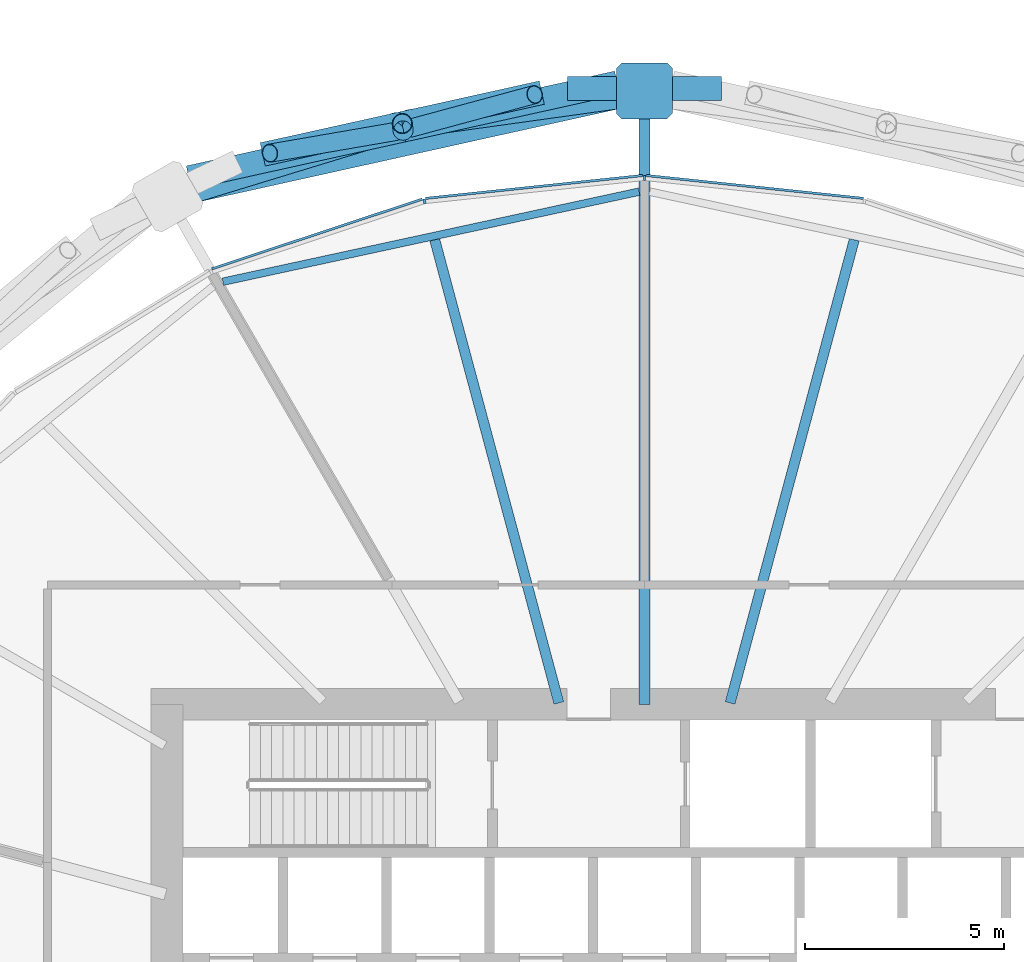
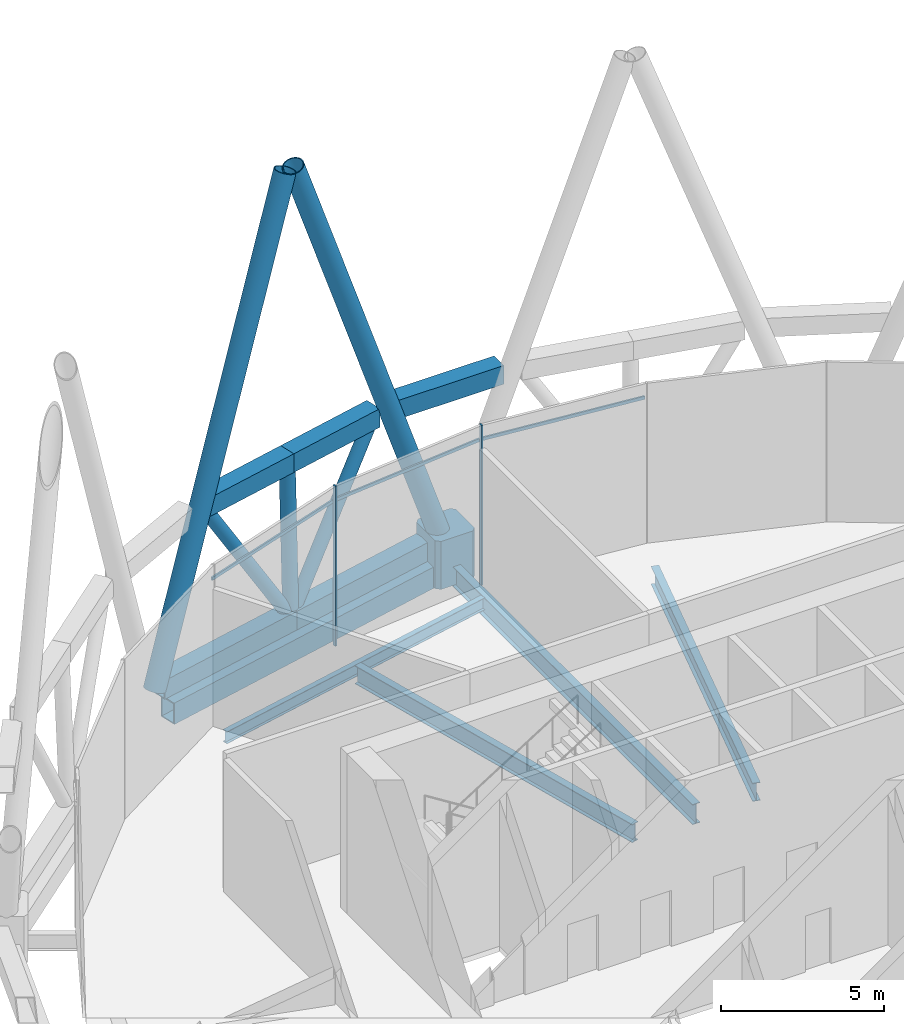
# One storey, part 12 of 33: 16 members, 5 beams, 1 element without a shape of its own.
"""IFC4 building model written with IfcOpenShell, lengths in metres."""

from ifc_helpers import new_model, si_unit, direction, frame, origin, origin_2d, place, context, subcontext, project, spatial, polyline, rectangle, hollow_rectangle, hollow_circle, i_section, outline, extrude, material, material_profile, profile_set, type_object, element, aggregate, save


model = new_model("IFC4")

# Units and contexts
model_context = context("Model", 3, precision=1e-05, world=origin(), true_north=direction((0.0, 1.0)))
body_context = subcontext(model_context, "Body", "Model", "MODEL_VIEW")
ifc_project = project(units=[si_unit("LENGTHUNIT", "METRE"), si_unit("AREAUNIT", "SQUARE_METRE"), si_unit("VOLUMEUNIT", "CUBIC_METRE"), si_unit("PLANEANGLEUNIT", "RADIAN"), si_unit("MASSUNIT", "GRAM", prefix="KILO")], contexts=[model_context])

# Site, building, storey
site_placement = place(None, origin())
site = spatial("IfcSite", under=ifc_project, at=site_placement, CompositionType="ELEMENT")
building_placement = place(site_placement, origin())
building = spatial("IfcBuilding", under=site, at=building_placement, Name="Rimbun Link Towers", CompositionType="ELEMENT")
storey_placement = place(building_placement, frame((0.0, 0.0, 75.60009765625)))
storey = spatial("IfcBuildingStorey", under=building, at=storey_placement, Name="L18", CompositionType="ELEMENT", Elevation=75.60009765625)

# Members
ifc_material_1 = material(Name="Steel S460N", Category="steel")
ifc_material_profile_1 = material_profile(ifc_material_1, hollow_rectangle(XDim=0.60009765625, YDim=0.699951171875, WallThickness=0.034912109375, at=origin_2d()), Name="Belt truss chord BOX 600x700x35")
ifc_profile_set_1 = profile_set([ifc_material_profile_1], Name="Steel S460N")
member_type_1 = type_object("IfcMemberType", Name="Belt truss chord BOX 600x700x35", PredefinedType="CHORD", material=ifc_profile_set_1)
member_1_placement = place(storey_placement, frame((-29.814697265625, 23.475830078125, 6.0), z_axis=(-1.0, 0.0, 0.0), x_axis=(0.0, -1.0, 0.0)))
element("IfcMember", 1, at=member_1_placement, inside=storey, type_object=member_type_1, Name="Belt truss chord T1 L18 top 03", PredefinedType="CHORD", context=body_context, shape_type="SweptSolid", body=[
    extrude(hollow_rectangle(XDim=0.60009765625, YDim=0.699951171875, WallThickness=0.034912109375, at=origin_2d()), origin(), (0.0, 0.0, 1.0), 3.87060546875),
])
for number, where, z_axis, x_axis, name in (
    (2, (-32.435791015625, 23.62255859375, 0.18994140625), (-0.976355546465, -0.216170874279, 0.0), (0.216170874279, -0.976355546465, 0.0), "Belt truss chord T1 L18 bottom 06"),
    (3, (-37.819091796875, 22.4306640625, 0.18994140625), (-0.976355546465, -0.216170874279, 0.0), (0.216170874279, -0.976355546465, 0.0), "Belt truss chord T1 L18 bottom 07"),
):
    element("IfcMember", number, at=place(storey_placement, frame(where, z_axis=z_axis, x_axis=x_axis)), inside=storey, type_object=member_type_1, Name=name, PredefinedType="CHORD", context=body_context, shape_type="SweptSolid", body=[
        extrude(hollow_rectangle(XDim=0.60009765625, YDim=0.699951171875, WallThickness=0.034912109375, at=origin_2d()), origin(), (0.0, 0.0, 1.0), 5.513671875),
    ])
member_2_placement = place(storey_placement, frame((-34.331787109375, 23.37451171875, 6.0), z_axis=(-0.97635312836, -0.216181795584, 0.0), x_axis=(0.216181795584, -0.97635312836, 0.0)))
element("IfcMember", 4, at=member_2_placement, inside=storey, type_object=member_type_1, Name="Belt truss chord T1 L18 top 18", PredefinedType="CHORD", context=body_context, shape_type="SweptSolid", body=[
    extrude(hollow_rectangle(XDim=0.60009765625, YDim=0.699951171875, WallThickness=0.034912109375, at=origin_2d()), origin(), (0.0, 0.0, 1.0), 3.59130859375),
])
member_3_placement = place(storey_placement, frame((-37.838134765625, 22.59814453125, 6.0), z_axis=(-0.976356305139, -0.216167447632, 0.0), x_axis=(0.216167447632, -0.976356305139, 0.0)))
element("IfcMember", 5, at=member_3_placement, inside=storey, type_object=member_type_1, Name="Belt truss chord T1 L18 top 19", PredefinedType="CHORD", context=body_context, shape_type="SweptSolid", body=[
    extrude(hollow_rectangle(XDim=0.60009765625, YDim=0.699951171875, WallThickness=0.034912109375, at=origin_2d()), origin(), (0.0, 0.0, 1.0), 3.591552734375),
])
ifc_material_2 = material(Name="Steel S355J2H", Category="steel")
ifc_material_profile_2 = material_profile(ifc_material_2, hollow_circle(Radius=0.228515625, WallThickness=0.01611328125, at=origin_2d()), Name="Belt truss diagonal CHS 457x16")
ifc_profile_set_2 = profile_set([ifc_material_profile_2], Name="Steel S355J2H")
member_type_2 = type_object("IfcMemberType", Name="Belt truss diagonal CHS 457x16", PredefinedType="BRACE", material=ifc_profile_set_2)
member_4_placement = place(storey_placement, frame((-37.640625, 22.47900390625, 0.487060546875), z_axis=(0.509700273866, 0.137939475145, 0.849222192372), x_axis=(-0.261231358377, 0.965276218189, 0.0)))
element("IfcMember", 6, at=member_4_placement, inside=storey, type_object=member_type_2, Name="Belt truss diagonal T1 L18 06", PredefinedType="BRACE", context=body_context, shape_type="SweptSolid", body=[
    extrude(hollow_circle(Radius=0.228515625, WallThickness=0.01611328125, at=origin_2d()), origin(), (0.0, 0.0, 1.0), 6.1416015625),
])
member_5_placement = place(storey_placement, frame((-38.0, 22.3994140625, 0.48779296875), z_axis=(-0.516682153979, -0.089230238491, 0.851514836217), x_axis=(0.170179375016, -0.985413101354, 0.0)))
element("IfcMember", 7, at=member_5_placement, inside=storey, type_object=member_type_2, Name="Belt truss diagonal T1 L18 07", PredefinedType="BRACE", context=body_context, shape_type="SweptSolid", body=[
    extrude(hollow_circle(Radius=0.228515625, WallThickness=0.01611328125, at=origin_2d()), origin(), (0.0, 0.0, 1.0), 6.123291015625),
])
ifc_material_3 = material(Name="Steel S355J2H", Category="steel")
ifc_material_profile_3 = material_profile(ifc_material_3, hollow_circle(Radius=0.25390625, WallThickness=0.02001953125, at=origin_2d()), Name="Belt truss strut CHS 508x20")
ifc_profile_set_3 = profile_set([ifc_material_profile_3], Name="Steel S355J2H")
member_type_3 = type_object("IfcMemberType", Name="Belt truss strut CHS 508x20", PredefinedType="STRUT", material=ifc_profile_set_3)
member_6_placement = place(storey_placement, frame((-37.819091796875, 22.4306640625, 0.539794921875), z_axis=(-0.003724504363, 0.032756538375, 0.999456420891), x_axis=(-0.99359786667, -0.112974684548, 0.0)))
element("IfcMember", 8, at=member_6_placement, inside=storey, type_object=member_type_3, Name="Belt truss strut T1 L18 03", PredefinedType="STRUT", context=body_context, shape_type="SweptSolid", body=[
    extrude(hollow_circle(Radius=0.25390625, WallThickness=0.02001953125, at=origin_2d()), origin(), (0.0, 0.0, 1.0), 5.11279296875),
])

# Curtain wall, members
ifc_material_4 = material(Name="Aluminium 6063-T6 louvre wall", Category="aluminium")
curtain_wall_type = type_object("IfcCurtainWallType", Name="CW6 plant floor louvre wall", PredefinedType="NOTDEFINED", material=ifc_material_4)
curtain_wall_placement = place(storey_placement, origin())
curtain_wall = element("IfcCurtainWall", 9, at=curtain_wall_placement, inside=storey, type_object=curtain_wall_type, Name="CW6 L18 T1", PredefinedType="NOTDEFINED")
ifc_material_5 = material(Name="Aluminium 6063-T6", Category="aluminium")
ifc_material_profile_4 = material_profile(ifc_material_5, rectangle(XDim=0.1201171875, YDim=0.06005859375, at=origin_2d()), Name="MULLION 60X120")
ifc_profile_set_4 = profile_set([ifc_material_profile_4], Name="Aluminium 6063-T6")
member_type_4 = type_object("IfcMemberType", Name="CW6 mullion 60X120", PredefinedType="MULLION", material=ifc_profile_set_4)
member_7_placement = place(storey_placement, frame((-31.75, 21.22607421875, 0.0), z_axis=(0.0, 0.0, 1.0), x_axis=(0.0, 1.0, 0.0)))
member_7 = element("IfcMember", 10, at=member_7_placement, type_object=member_type_4, Name="CW6 mullion", PredefinedType="MULLION", context=body_context, shape_type="SweptSolid", body=[
    extrude(rectangle(XDim=0.1201171875, YDim=0.06005859375, at=origin_2d()), origin(), (0.0, 0.0, 1.0), 6.0),
])
member_8_placement = place(storey_placement, frame((-37.278564453125, 20.643798828125, 0.0), z_axis=(0.0, 0.0, 1.0), x_axis=(-0.210874413841, 0.977513161848, 0.0)))
member_8 = element("IfcMember", 11, at=member_8_placement, type_object=member_type_4, Name="CW6 mullion", PredefinedType="MULLION", context=body_context, shape_type="SweptSolid", body=[
    extrude(rectangle(XDim=0.1201171875, YDim=0.06005859375, at=origin_2d()), origin(), (0.0, 0.0, 1.0), 6.0),
])
ifc_material_6 = material(Name="Aluminium 6063-T6", Category="aluminium")
ifc_material_profile_5 = material_profile(ifc_material_6, rectangle(XDim=0.06005859375, YDim=0.1201171875, at=origin_2d()), Name="TRANSOM 60X120")
ifc_profile_set_5 = profile_set([ifc_material_profile_5], Name="Aluminium 6063-T6")
member_type_5 = type_object("IfcMemberType", Name="CW6 transom 60X120", PredefinedType="USERDEFINED", material=ifc_profile_set_5)
member_9_placement = place(storey_placement, frame((-31.70654296875, 21.292236328125, 5.39990234375), z_axis=(0.994498135336, -0.104754278261, 0.0), x_axis=(0.104754278261, 0.994498135336, 0.0)))
member_9 = element("IfcMember", 12, at=member_9_placement, type_object=member_type_5, Name="CW6 transom", ObjectType="TRANSOM", PredefinedType="USERDEFINED", context=body_context, shape_type="SweptSolid", body=[
    extrude(rectangle(XDim=0.06005859375, YDim=0.1201171875, at=origin_2d()), origin(), (0.0, 0.0, 1.0), 5.486328125),
])
member_10_placement = place(storey_placement, frame((-37.24951171875, 20.717529296875, 5.39990234375), z_axis=(0.994498135336, 0.104754278261, 0.0), x_axis=(-0.104754278261, 0.994498135336, 0.0)))
member_10 = element("IfcMember", 13, at=member_10_placement, type_object=member_type_5, Name="CW6 transom", ObjectType="TRANSOM", PredefinedType="USERDEFINED", context=body_context, shape_type="SweptSolid", body=[
    extrude(rectangle(XDim=0.06005859375, YDim=0.1201171875, at=origin_2d()), origin(), (0.0, 0.0, 1.0), 5.486328125),
])
member_11_placement = place(storey_placement, frame((-42.624267578125, 18.9462890625, 5.39990234375), z_axis=(0.949238297385, 0.314557871904, 0.0), x_axis=(-0.314557871904, 0.949238297385, 0.0)))
member_11 = element("IfcMember", 14, at=member_11_placement, type_object=member_type_5, Name="CW6 transom", ObjectType="TRANSOM", PredefinedType="USERDEFINED", context=body_context, shape_type="SweptSolid", body=[
    extrude(rectangle(XDim=0.06005859375, YDim=0.1201171875, at=origin_2d()), origin(), (0.0, 0.0, 1.0), 5.572021484375),
])
aggregate(curtain_wall, [member_7, member_8, member_9, member_10, member_11])

# Members
ifc_material_7 = material(Name="Steel S460NH", Category="steel")
ifc_material_profile_6 = material_profile(ifc_material_7, hollow_circle(Radius=0.355712890625, WallThickness=0.031982421875, at=origin_2d()), Name="Diagrid diagonal CHS 711x32")
ifc_profile_set_6 = profile_set([ifc_material_profile_6], Name="Steel S460NH")
member_type_6 = type_object("IfcMemberType", Name="Diagrid diagonal CHS 711x32", PredefinedType="BRACE", material=ifc_profile_set_6)
member_12_placement = place(storey_placement, frame((-31.9140625, 23.393310546875, 0.4716796875), z_axis=(-0.328021462775, -0.045634360459, 0.943567392985), x_axis=(0.137792985348, -0.990461050819, 0.0)))
element("IfcMember", 15, at=member_12_placement, inside=storey, type_object=member_type_6, Name="Diagrid diagonal T1 L18-L22 06b", PredefinedType="BRACE", context=body_context, shape_type="SweptSolid", body=[
    extrude(hollow_circle(Radius=0.355712890625, WallThickness=0.031982421875, at=origin_2d()), origin(), (0.0, 0.0, 1.0), 17.440673828125),
])
member_13_placement = place(storey_placement, frame((-43.576171875, 20.81103515625, 0.470703125), z_axis=(0.321408897175, 0.098106206301, 0.941844728765), x_axis=(-0.291940729654, 0.956436412089, 0.0)))
element("IfcMember", 16, at=member_13_placement, inside=storey, type_object=member_type_6, Name="Diagrid diagonal T1 L18-L22 08a", PredefinedType="BRACE", context=body_context, shape_type="SweptSolid", body=[
    extrude(hollow_circle(Radius=0.355712890625, WallThickness=0.031982421875, at=origin_2d()), origin(), (0.0, 0.0, 1.0), 17.474365234375),
])
ifc_material_8 = material(Name="Cast steel G20Mn5+QT, Rp0.2 300 MPa", Category="steel")
ifc_material_profile_7 = material_profile(ifc_material_8, outline(polyline([(0.699951171875, -0.570068359375), (0.699951171875, 0.570068359375), (0.570068359375, 0.699951171875), (-0.570068359375, 0.699951171875), (-0.699951171875, 0.570068359375), (-0.699951171875, -0.570068359375), (-0.570068359375, -0.699951171875), (0.570068359375, -0.699951171875), (0.699951171875, -0.570068359375)])), Name="NODE 1400x1400")
ifc_profile_set_7 = profile_set([ifc_material_profile_7], Name="Cast steel G20Mn5+QT, Rp0.2 300 MPa")
member_type_7 = type_object("IfcMemberType", Name="Diagrid node cast 1400", PredefinedType="USERDEFINED", material=ifc_profile_set_7)
member_14_placement = place(storey_placement, frame((-31.75, 23.416015625, -0.900146484375), z_axis=(0.0, 0.0, 1.0), x_axis=(0.0, 1.0, 0.0)))
element("IfcMember", 17, at=member_14_placement, inside=storey, type_object=member_type_7, Name="Diagrid node L18 06", ObjectType="Diagrid node", PredefinedType="USERDEFINED", context=body_context, shape_type="SweptSolid", body=[
    extrude(outline(polyline([(0.699951171875, -0.570068359375), (0.699951171875, 0.570068359375), (0.570068359375, 0.699951171875), (-0.570068359375, 0.699951171875), (-0.699951171875, 0.570068359375), (-0.699951171875, -0.570068359375), (-0.570068359375, -0.699951171875), (0.570068359375, -0.699951171875), (0.699951171875, -0.570068359375)])), origin(), (0.0, 0.0, 1.0), 1.800048828125),
])

# Beams
ifc_material_9 = material(Name="Steel S355J2", Category="steel")
ifc_material_profile_8 = material_profile(ifc_material_9, hollow_rectangle(XDim=0.60009765625, YDim=0.800048828125, WallThickness=0.0400390625, at=origin_2d()), Name="Exoskeleton ring girder BOX 600x800x40")
ifc_profile_set_8 = profile_set([ifc_material_profile_8], Name="Steel S355J2")
beam_type_1 = type_object("IfcBeamType", Name="Exoskeleton ring girder BOX 600x800x40", PredefinedType="BEAM", material=ifc_profile_set_8)
beam_1_placement = place(storey_placement, frame((-32.433349609375, 23.2646484375, -0.56005859375), z_axis=(-0.976356287658, -0.216167526585, 0.0), x_axis=(0.216167526585, -0.976356287658, 0.0)))
element("IfcBeam", 18, at=beam_1_placement, inside=storey, type_object=beam_type_1, Name="Exoskeleton ring girder L18 03", PredefinedType="BEAM", context=body_context, shape_type="SweptSolid", body=[
    extrude(hollow_rectangle(XDim=0.60009765625, YDim=0.800048828125, WallThickness=0.0400390625, at=origin_2d()), origin(), (0.0, 0.0, 1.0), 10.877197265625),
])
ifc_material_10 = material(Name="Steel S355J2", Category="steel")
ifc_material_profile_9 = material_profile(ifc_material_10, i_section(OverallWidth=0.18994140625, OverallDepth=0.453369140625, WebThickness=0.008544921875, FlangeThickness=0.0126953125, at=origin_2d()), Name="UB 457x191x67")
ifc_profile_set_9 = profile_set([ifc_material_profile_9], Name="Steel S355J2")
beam_type_2 = type_object("IfcBeamType", Name="UB 457x191x67", PredefinedType="BEAM", material=ifc_profile_set_9)
beam_2_placement = place(storey_placement, frame((-31.88427734375, 20.885498046875, -0.4267578125), z_axis=(-0.977388310201, -0.211452337616, 0.0), x_axis=(0.211452337616, -0.977388310201, 0.0)))
element("IfcBeam", 19, at=beam_2_placement, inside=storey, type_object=beam_type_2, Name="Edge beam T1 L18 06-08", PredefinedType="BEAM", context=body_context, shape_type="SweptSolid", body=[
    extrude(i_section(OverallWidth=0.18994140625, OverallDepth=0.453369140625, WebThickness=0.008544921875, FlangeThickness=0.0126953125, at=origin_2d()), origin(), (0.0, 0.0, 1.0), 10.7041015625),
])
ifc_material_11 = material(Name="Steel S355J2", Category="steel")
ifc_material_profile_10 = material_profile(ifc_material_11, i_section(OverallWidth=0.253662109375, OverallDepth=0.68359375, WebThickness=0.012451171875, FlangeThickness=0.01904296875, at=origin_2d()), Name="UB 686x254x140")
ifc_profile_set_10 = profile_set([ifc_material_profile_10], Name="Steel S355J2")
beam_type_3 = type_object("IfcBeamType", Name="UB 686x254x140", PredefinedType="BEAM", material=ifc_profile_set_10)
for number, where, z_axis, x_axis, name in (
    (20, (-29.597412109375, 8.03369140625, -0.5419921875), (0.258829908423, 0.965922915406, 0.0), (-0.965922915406, 0.258829908423, 0.0), "Radial beam T1 L18 05"),
    (21, (-33.902587890625, 8.03369140625, -0.5419921875), (-0.258829908423, 0.965922915406, 0.0), (-0.965922915406, -0.258829908423, 0.0), "Radial beam T1 L18 07"),
):
    element("IfcBeam", number, at=place(storey_placement, frame(where, z_axis=z_axis, x_axis=x_axis)), inside=storey, type_object=beam_type_3, Name=name, PredefinedType="BEAM", context=body_context, shape_type="SweptSolid", body=[
        extrude(i_section(OverallWidth=0.253662109375, OverallDepth=0.68359375, WebThickness=0.012451171875, FlangeThickness=0.01904296875, at=origin_2d()), origin(), (0.0, 0.0, 1.0), 12.052734375),
    ])
ifc_material_12 = material(Name="Steel S355J2", Category="steel")
ifc_material_profile_11 = material_profile(ifc_material_12, i_section(OverallWidth=0.2666015625, OverallDepth=0.76220703125, WebThickness=0.014404296875, FlangeThickness=0.021484375, at=origin_2d()), Name="UB 762x267x173")
ifc_profile_set_11 = profile_set([ifc_material_profile_11], Name="Steel S355J2")
beam_type_4 = type_object("IfcBeamType", Name="UB 762x267x173", PredefinedType="BEAM", material=ifc_profile_set_11)
beam_3_placement = place(storey_placement, frame((-31.75, 8.0009765625, -0.581298828125), z_axis=(0.0, 1.0, 0.0), x_axis=(-1.0, 0.0, 0.0)))
element("IfcBeam", 22, at=beam_3_placement, inside=storey, type_object=beam_type_4, Name="Radial beam T1 L18 06", PredefinedType="BEAM", context=body_context, shape_type="SweptSolid", body=[
    extrude(i_section(OverallWidth=0.2666015625, OverallDepth=0.76220703125, WebThickness=0.014404296875, FlangeThickness=0.021484375, at=origin_2d()), origin(), (0.0, 0.0, 1.0), 14.9150390625),
])

save(model, "model.ifc")
